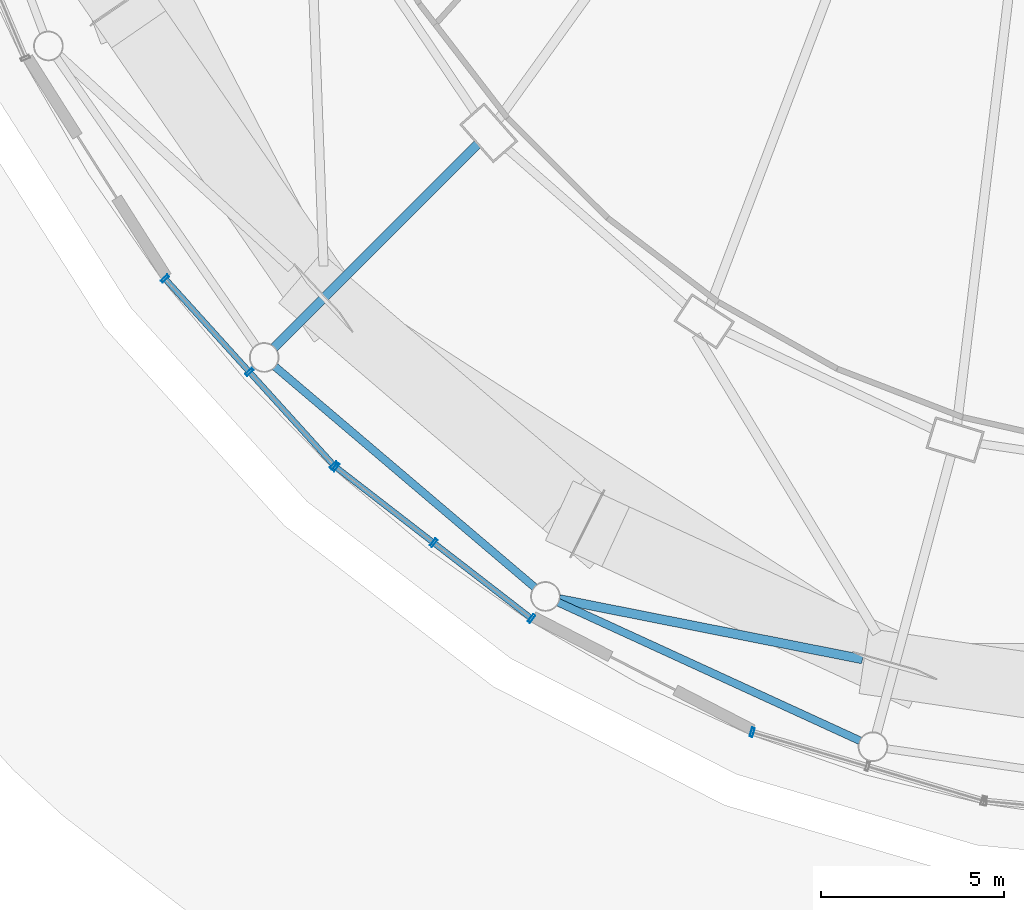
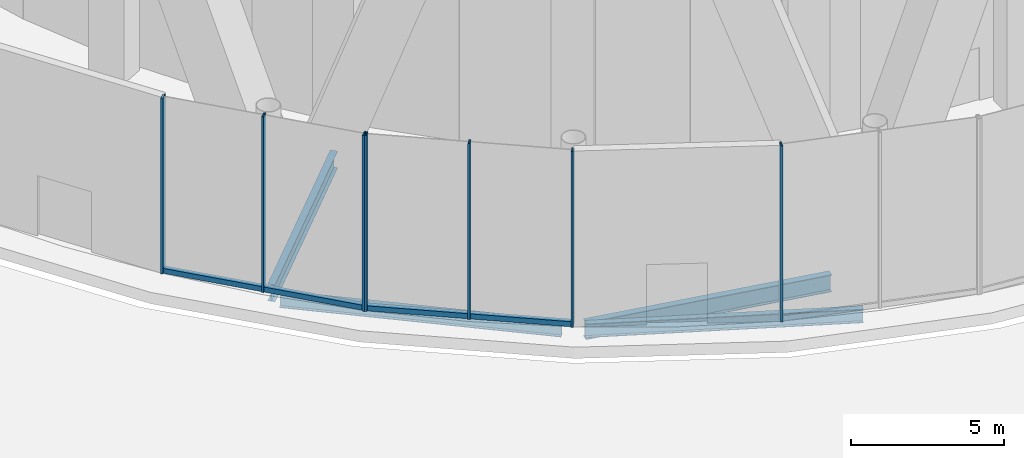
# One storey, part 3 of 67: 9 members, 4 beams, 3 elements without a shape of their own.
"""IFC4 building model written with IfcOpenShell, lengths in metres."""

from ifc_helpers import new_model, si_unit, direction, frame, origin, origin_2d, place, context, subcontext, project, spatial, hollow_rectangle, i_section, extrude, material, layer, layer_set, material_profile, profile_set, type_object, element, aggregate, save


model = new_model("IFC4")

# Units and contexts
model_context = context("Model", 3, precision=1e-05, world=origin(), true_north=direction((0.0, 1.0)))
body_context = subcontext(model_context, "Body", "Model", "MODEL_VIEW")
ifc_project = project(units=[si_unit("LENGTHUNIT", "METRE"), si_unit("AREAUNIT", "SQUARE_METRE"), si_unit("VOLUMEUNIT", "CUBIC_METRE"), si_unit("PLANEANGLEUNIT", "RADIAN"), si_unit("MASSUNIT", "GRAM", prefix="KILO")], contexts=[model_context])

# Site, building, storey
site_placement = place(None, origin())
site = spatial("IfcSite", under=ifc_project, at=site_placement, CompositionType="ELEMENT")
building_placement = place(site_placement, origin())
building = spatial("IfcBuilding", under=site, at=building_placement, Name="Nagisa Residences", CompositionType="ELEMENT")
storey_placement = place(building_placement, origin())
storey = spatial("IfcBuildingStorey", under=building, at=storey_placement, Name="L00", CompositionType="ELEMENT", Elevation=0.0)

# Beams
ifc_material_1 = material(Name="Steel ASTM A572 Gr 50", Category="steel")
ifc_material_profile_1 = material_profile(ifc_material_1, i_section(OverallWidth=0.2529296875, OverallDepth=0.677978515625, WebThickness=0.01171875, FlangeThickness=0.016357421875, at=origin_2d()), Name="W690x125")
ifc_profile_set_1 = profile_set([ifc_material_profile_1], Name="Steel ASTM A572 Gr 50")
beam_type_1 = type_object("IfcBeamType", Name="Atrium outer beam W690x125", PredefinedType="BEAM", material=ifc_profile_set_1)
beam_1_placement = place(storey_placement, frame((-16.857177734375, -23.28564453125, -0.739013671875), z_axis=(-0.707106781187, -0.707106781187, 0.0), x_axis=(0.707106781187, -0.707106781187, 0.0)))
element("IfcBeam", 1, at=beam_1_placement, inside=storey, type_object=beam_type_1, Name="beam:L00:er16", PredefinedType="BEAM", context=body_context, shape_type="SweptSolid", body=[
    extrude(i_section(OverallWidth=0.2529296875, OverallDepth=0.677978515625, WebThickness=0.01171875, FlangeThickness=0.016357421875, at=origin_2d()), origin(), (0.0, 0.0, 1.0), 7.8828125),
])
beam_2_placement = place(storey_placement, frame((-6.313232421875, -37.400146484375, -0.739013671875), z_axis=(-0.980959139789, 0.194214227247, 0.0), x_axis=(-0.194214227247, -0.980959139789, 0.0)))
element("IfcBeam", 2, at=beam_2_placement, inside=storey, type_object=beam_type_1, Name="beam:L00:er17b", PredefinedType="BEAM", context=body_context, shape_type="SweptSolid", body=[
    extrude(i_section(OverallWidth=0.2529296875, OverallDepth=0.677978515625, WebThickness=0.01171875, FlangeThickness=0.016357421875, at=origin_2d()), origin(), (0.0, 0.0, 1.0), 8.46875),
])
ifc_material_2 = material(Name="Steel ASTM A572 Gr 50", Category="steel")
ifc_material_profile_2 = material_profile(ifc_material_2, i_section(OverallWidth=0.214111328125, OverallDepth=0.549072265625, WebThickness=0.0146484375, FlangeThickness=0.023681640625, at=origin_2d()), Name="W530x138")
ifc_profile_set_2 = profile_set([ifc_material_profile_2], Name="Steel ASTM A572 Gr 50")
beam_type_2 = type_object("IfcBeamType", Name="Atrium ring beam W530x138", PredefinedType="BEAM", material=ifc_profile_set_2)
beam_3_placement = place(storey_placement, frame((-22.409912109375, -29.383056640625, -0.674560546875), z_axis=(0.762007048716, -0.647568728173, 0.0), x_axis=(0.647568728173, 0.762007048716, 0.0)))
element("IfcBeam", 3, at=beam_3_placement, inside=storey, type_object=beam_type_2, Name="beam:L00:ab16", PredefinedType="BEAM", context=body_context, shape_type="SweptSolid", body=[
    extrude(i_section(OverallWidth=0.214111328125, OverallDepth=0.549072265625, WebThickness=0.0146484375, FlangeThickness=0.023681640625, at=origin_2d()), origin(), (0.0, 0.0, 1.0), 9.337890625),
])
beam_4_placement = place(storey_placement, frame((-14.648681640625, -35.84130859375, -0.674560546875), z_axis=(0.908914420706, -0.416982704477, 0.0), x_axis=(0.416982704477, 0.908914420706, 0.0)))
element("IfcBeam", 4, at=beam_4_placement, inside=storey, type_object=beam_type_2, Name="beam:L00:ab17", PredefinedType="BEAM", context=body_context, shape_type="SweptSolid", body=[
    extrude(i_section(OverallWidth=0.214111328125, OverallDepth=0.549072265625, WebThickness=0.0146484375, FlangeThickness=0.023681640625, at=origin_2d()), origin(), (0.0, 0.0, 1.0), 9.097900390625),
])

# Curtain wall, members
ifc_material_3 = material(Name="Stainless steel curtain wall system", Category="steel")
ifc_layer = layer(ifc_material_3, 0.159912109375)
ifc_layer_set = layer_set([ifc_layer], Name="CW3 CURTAIN WALL")
curtain_wall_type = type_object("IfcCurtainWallType", Name="CW3 CURTAIN WALL", PredefinedType="NOTDEFINED", material=ifc_layer_set)
curtain_wall_1_placement = place(storey_placement, origin())
curtain_wall_1 = element("IfcCurtainWall", 5, at=curtain_wall_1_placement, inside=storey, type_object=curtain_wall_type, Name="cw:CW3:L00:22", PredefinedType="NOTDEFINED")
ifc_material_4 = material(Name="Stainless steel", Category="steel")
ifc_material_profile_3 = material_profile(ifc_material_4, hollow_rectangle(XDim=0.25, YDim=0.080078125, WallThickness=0.008056640625, at=origin_2d()), Name="CW3 MULLION 250x80")
ifc_profile_set_3 = profile_set([ifc_material_profile_3], Name="Stainless steel")
member_type_1 = type_object("IfcMemberType", Name="CW3 MULLION 250x80", PredefinedType="MULLION", material=ifc_profile_set_3)
member_1_placement = place(storey_placement, frame((-25.423583984375, -26.97314453125, 0.0), z_axis=(0.0, 0.0, 1.0), x_axis=(0.741535779122, 0.670913323971, 0.0)))
member_1 = element("IfcMember", 6, at=member_1_placement, type_object=member_type_1, Name="CW3 mullion", PredefinedType="MULLION", context=body_context, shape_type="SweptSolid", body=[
    extrude(hollow_rectangle(XDim=0.25, YDim=0.080078125, WallThickness=0.008056640625, at=origin_2d()), origin(), (0.0, 0.0, 1.0), 7.0),
])
member_2_placement = place(storey_placement, frame((-23.1083984375, -29.53173828125, 0.0), z_axis=(0.0, 0.0, 1.0), x_axis=(0.741535779122, 0.670913323971, 0.0)))
member_2 = element("IfcMember", 7, at=member_2_placement, type_object=member_type_1, Name="CW3 mullion", PredefinedType="MULLION", context=body_context, shape_type="SweptSolid", body=[
    extrude(hollow_rectangle(XDim=0.25, YDim=0.080078125, WallThickness=0.008056640625, at=origin_2d()), origin(), (0.0, 0.0, 1.0), 7.0),
])
member_3_placement = place(storey_placement, frame((-20.79345703125, -32.090576171875, 0.0), z_axis=(0.0, 0.0, 1.0), x_axis=(0.741535779122, 0.670913323971, 0.0)))
member_3 = element("IfcMember", 8, at=member_3_placement, type_object=member_type_1, Name="CW3 mullion", PredefinedType="MULLION", context=body_context, shape_type="SweptSolid", body=[
    extrude(hollow_rectangle(XDim=0.25, YDim=0.080078125, WallThickness=0.008056640625, at=origin_2d()), origin(), (0.0, 0.0, 1.0), 7.0),
])

curtain_wall_2_placement = place(storey_placement, origin())
curtain_wall_2 = element("IfcCurtainWall", 9, at=curtain_wall_2_placement, inside=storey, type_object=curtain_wall_type, Name="cw:CW3:L00:23", PredefinedType="NOTDEFINED")
member_4_placement = place(storey_placement, frame((-20.745361328125, -32.135009765625, 0.0), z_axis=(0.0, 0.0, 1.0), x_axis=(0.612034757172, 0.790830864353, 0.0)))
member_4 = element("IfcMember", 10, at=member_4_placement, type_object=member_type_1, Name="CW3 mullion", PredefinedType="MULLION", context=body_context, shape_type="SweptSolid", body=[
    extrude(hollow_rectangle(XDim=0.25, YDim=0.080078125, WallThickness=0.008056640625, at=origin_2d()), origin(), (0.0, 0.0, 1.0), 7.0),
])
member_5_placement = place(storey_placement, frame((-18.06396484375, -34.210205078125, 0.0), z_axis=(0.0, 0.0, 1.0), x_axis=(0.612034757172, 0.790830864353, 0.0)))
member_5 = element("IfcMember", 11, at=member_5_placement, type_object=member_type_1, Name="CW3 mullion", PredefinedType="MULLION", context=body_context, shape_type="SweptSolid", body=[
    extrude(hollow_rectangle(XDim=0.25, YDim=0.080078125, WallThickness=0.008056640625, at=origin_2d()), origin(), (0.0, 0.0, 1.0), 7.0),
])
member_6_placement = place(storey_placement, frame((-15.382568359375, -36.285400390625, 0.0), z_axis=(0.0, 0.0, 1.0), x_axis=(0.612034757172, 0.790830864353, 0.0)))
member_6 = element("IfcMember", 12, at=member_6_placement, type_object=member_type_1, Name="CW3 mullion", PredefinedType="MULLION", context=body_context, shape_type="SweptSolid", body=[
    extrude(hollow_rectangle(XDim=0.25, YDim=0.080078125, WallThickness=0.008056640625, at=origin_2d()), origin(), (0.0, 0.0, 1.0), 7.0),
])

# Curtain wall, member
curtain_wall_3_placement = place(storey_placement, origin())
curtain_wall_3 = element("IfcCurtainWall", 13, at=curtain_wall_3_placement, inside=storey, type_object=curtain_wall_type, Name="cw:CW3:L00:25", PredefinedType="NOTDEFINED")
member_7_placement = place(storey_placement, frame((-9.335693359375, -39.40185546875, 0.0), z_axis=(0.0, 0.0, 1.0), x_axis=(0.283963226669, 0.958835171393, 0.0)))
member_7 = element("IfcMember", 14, at=member_7_placement, type_object=member_type_1, Name="CW3 mullion", PredefinedType="MULLION", context=body_context, shape_type="SweptSolid", body=[
    extrude(hollow_rectangle(XDim=0.25, YDim=0.080078125, WallThickness=0.008056640625, at=origin_2d()), origin(), (0.0, 0.0, 1.0), 7.0),
])
aggregate(curtain_wall_3, [member_7])

# Member
ifc_material_5 = material(Name="Stainless steel", Category="steel")
ifc_material_profile_4 = material_profile(ifc_material_5, hollow_rectangle(XDim=0.159912109375, YDim=0.199951171875, WallThickness=0.008056640625, at=origin_2d()), Name="CW3 TRANSOM 160x200")
ifc_profile_set_4 = profile_set([ifc_material_profile_4], Name="Stainless steel")
member_type_2 = type_object("IfcMemberType", Name="CW3 TRANSOM 160x200", PredefinedType="USERDEFINED", material=ifc_profile_set_4)
member_8_placement = place(storey_placement, frame((-25.450439453125, -26.943359375, 0.10009765625), z_axis=(0.670921565259, -0.741528322635, 0.0), x_axis=(0.741528322635, 0.670921565259, 0.0)))
member_8 = element("IfcMember", 15, at=member_8_placement, type_object=member_type_2, Name="CW3 transom", ObjectType="TRANSOM", PredefinedType="USERDEFINED", context=body_context, shape_type="SweptSolid", body=[
    extrude(hollow_rectangle(XDim=0.159912109375, YDim=0.199951171875, WallThickness=0.008056640625, at=origin_2d()), origin(), (0.0, 0.0, 1.0), 6.981201171875),
])

aggregate(curtain_wall_1, [member_1, member_2, member_3, member_8])

member_9_placement = place(storey_placement, frame((-20.77685546875, -32.110595703125, 0.10009765625), z_axis=(0.790821490188, -0.612046869656, 0.0), x_axis=(0.612046869656, 0.790821490188, 0.0)))
member_9 = element("IfcMember", 16, at=member_9_placement, type_object=member_type_2, Name="CW3 transom", ObjectType="TRANSOM", PredefinedType="USERDEFINED", context=body_context, shape_type="SweptSolid", body=[
    extrude(hollow_rectangle(XDim=0.159912109375, YDim=0.199951171875, WallThickness=0.008056640625, at=origin_2d()), origin(), (0.0, 0.0, 1.0), 6.86083984375),
])

aggregate(curtain_wall_2, [member_4, member_5, member_6, member_9])

save(model, "model.ifc")
